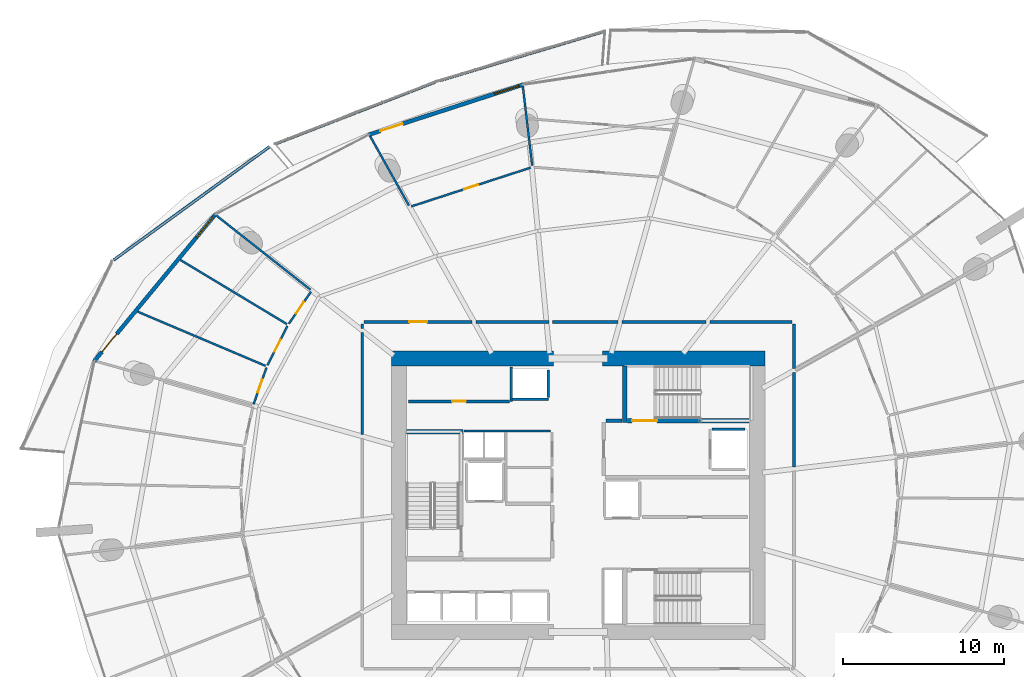
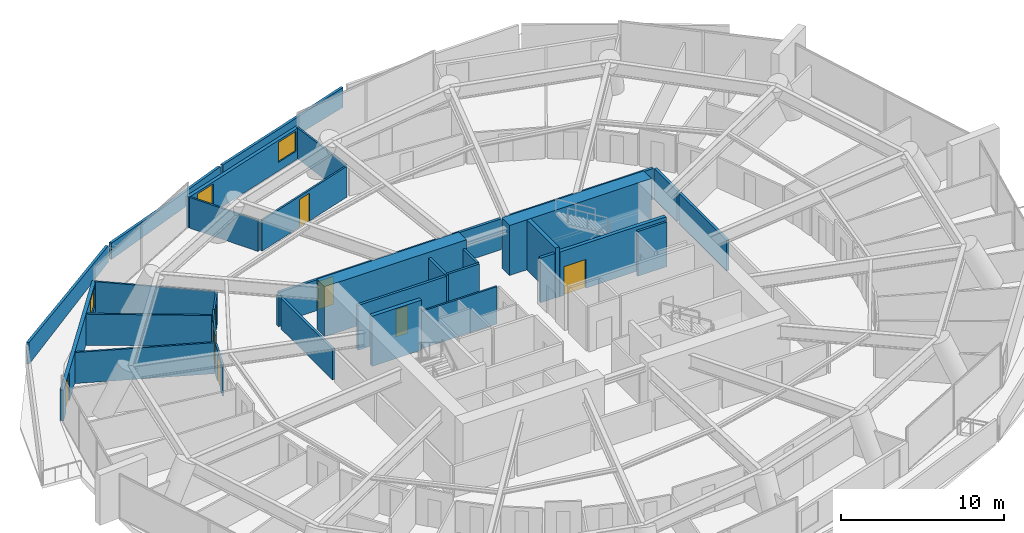
# One storey, part 22 of 31: 35 walls, 9 doors, 2 windows, 11 openings.
"""IFC4 building model written with IfcOpenShell, lengths in metres."""

from ifc_helpers import new_model, si_unit, direction, frame, frame_2d, origin, place, context, subcontext, project, spatial, polyline, rectangle, outline, extrude, material, layer, layer_set, type_object, element, fill, save


model = new_model("IFC4")

# Units and contexts
model_context = context("Model", 3, precision=1e-05, world=origin(), true_north=direction((0.0, 1.0)))
body_context = subcontext(model_context, "Body", "Model", "MODEL_VIEW")
ifc_project = project(units=[si_unit("LENGTHUNIT", "METRE"), si_unit("AREAUNIT", "SQUARE_METRE"), si_unit("VOLUMEUNIT", "CUBIC_METRE"), si_unit("PLANEANGLEUNIT", "RADIAN"), si_unit("MASSUNIT", "GRAM", prefix="KILO")], contexts=[model_context])

# Site, building, storey
site_placement = place(None, origin())
site = spatial("IfcSite", under=ifc_project, at=site_placement, CompositionType="ELEMENT")
building_placement = place(site_placement, origin())
building = spatial("IfcBuilding", under=site, at=building_placement, Name="Kazma Halo Residences", CompositionType="ELEMENT")
storey_placement = place(building_placement, frame((0.0, 0.0, 71.39990234375)))
storey = spatial("IfcBuildingStorey", under=building, at=storey_placement, Name="L17", CompositionType="ELEMENT", Elevation=71.39990234375)

# Walls
ifc_material_1 = material(Name="White Concrete C50/60 Balustrade", Category="concrete")
ifc_layer_1 = layer(ifc_material_1, 0.179931640625)
ifc_layer_set_1 = layer_set([ifc_layer_1], Name="White Concrete C50/60 Balustrade")
wall_type_1 = type_object("IfcWallType", Name="WL-BAL-WAVE-180", PredefinedType="PARAPET", material=ifc_layer_set_1)
wall_1_placement = place(storey_placement, frame((50.08740234375, 70.7705078125, 0.0), z_axis=(0.0, 0.0, 1.0), x_axis=(-0.957966698042, -0.286879426664, 0.0)))
element("IfcWall", 1, at=wall_1_placement, inside=storey, type_object=wall_type_1, Name="L17 white wave balustrade wall NNW.1", PredefinedType="PARAPET", context=body_context, shape_type="SweptSolid", body=[
    extrude(outline(polyline([(0.0, 0.0), (10.758544921875, 0.0), (10.7587890625, 1.148193359375), (5.37939453125, 1.2841796875), (0.0, 1.483154296875), (0.0, 0.0)])), frame((0.0, 0.08984375, 0.0), z_axis=(0.0, -1.0, 0.0), x_axis=(1.0, 0.0, 0.0)), (0.0, 0.0, 1.0), 0.179931640625),
])
wall_2_placement = place(storey_placement, frame((39.553955078125, 67.606201171875, 0.0), z_axis=(0.0, 0.0, 1.0), x_axis=(-0.932670029618, -0.360730669409, 0.0)))
element("IfcWall", 2, at=wall_2_placement, inside=storey, type_object=wall_type_1, Name="L17 white wave balustrade wall NNW.2", PredefinedType="PARAPET", context=body_context, shape_type="SweptSolid", body=[
    extrude(outline(polyline([(0.0, 0.0), (10.634521484375, 0.0), (10.634521484375, 1.22412109375), (5.3173828125, 1.127197265625), (0.0, 1.148193359375), (0.0, 0.0)])), frame((0.0, 0.08984375, 0.0), z_axis=(0.0, -1.0, 0.0), x_axis=(1.0, 0.0, 0.0)), (0.0, 0.0, 1.0), 0.179931640625),
])
wall_3_placement = place(storey_placement, frame((29.309326171875, 63.615234375, 0.0), z_axis=(0.0, 0.0, 1.0), x_axis=(-0.808711385096, -0.588205657586, 0.0)))
element("IfcWall", 3, at=wall_3_placement, inside=storey, type_object=wall_type_1, Name="L17 white wave balustrade wall NW.1", PredefinedType="PARAPET", context=body_context, shape_type="SweptSolid", body=[
    extrude(outline(polyline([(0.0, 0.0), (11.96875, 0.0), (11.968505859375, 1.632080078125), (5.984375, 1.418212890625), (0.0, 1.233154296875), (0.0, 0.0)])), frame((0.0, 0.08984375, 0.0), z_axis=(0.0, -1.0, 0.0), x_axis=(1.0, 0.0, 0.0)), (0.0, 0.0, 1.0), 0.179931640625),
])
ifc_material_2 = material(Name="Concrete C80/95", Category="concrete")
ifc_layer_2 = layer(ifc_material_2, 0.949951171875)
ifc_layer_set_2 = layer_set([ifc_layer_2], Name="Concrete C80/95")
wall_type_2 = type_object("IfcWallType", Name="WL-CORE-950", PredefinedType="SHEAR", material=ifc_layer_set_2)
wall_4_placement = place(storey_placement, frame((36.85009765625, 50.47509765625, 0.0), z_axis=(0.0, 0.0, 1.0), x_axis=(1.0, 0.0, 0.0)))
element("IfcWall", 4, at=wall_4_placement, inside=storey, type_object=wall_type_2, Name="L17 central core shear wall NW", PredefinedType="SHEAR", context=body_context, shape_type="SweptSolid", body=[
    extrude(rectangle(XDim=10.0498046875, YDim=0.949951171875, at=frame_2d((5.02490234375, 0.0))), origin(), (0.0, 0.0, 1.0), 3.75),
])
wall_5_placement = place(storey_placement, frame((49.949951171875, 50.47509765625, 0.0), z_axis=(0.0, 0.0, 1.0), x_axis=(1.0, 0.0, 0.0)))
element("IfcWall", 5, at=wall_5_placement, inside=storey, type_object=wall_type_2, Name="L17 central core shear wall NE", PredefinedType="SHEAR", context=body_context, shape_type="SweptSolid", body=[
    extrude(rectangle(XDim=10.050048828125, YDim=0.949951171875, at=frame_2d((5.02490234375, 0.0))), origin(), (0.0, 0.0, 1.0), 3.75),
])
ifc_material_3 = material(Name="Concrete C60/75", Category="concrete")
ifc_layer_3 = layer(ifc_material_3, 0.280029296875)
ifc_layer_set_3 = layer_set([ifc_layer_3], Name="Concrete C60/75")
wall_type_3 = type_object("IfcWallType", Name="WL-CORE-ST-280", PredefinedType="SHEAR", material=ifc_layer_set_3)
for number, where, z_axis, x_axis, name in (
    (6, (37.800048828125, 45.93994140625, 0.0), (0.0, 0.0, 1.0), (1.0, 0.0, 0.0), "L17 stairwell bearing wall ST01-N"),
    (7, (51.31005859375, 46.5, 0.0), (0.0, 0.0, 1.0), (0.0, 1.0, 0.0), "L17 stairwell bearing wall ST02-W"),
):
    element("IfcWall", number, at=place(storey_placement, frame(where, z_axis=z_axis, x_axis=x_axis)), inside=storey, type_object=wall_type_3, Name=name, PredefinedType="SHEAR", context=body_context, shape_type="SweptSolid", body=[
        extrude(rectangle(XDim=3.5, YDim=0.280029296875, at=frame_2d((1.75, 0.0))), origin(), (0.0, 0.0, 1.0), 3.75),
    ])

# Wall, opening, door
ifc_material_4 = material(Name="Acoustic Twin-Stud Gypsum")
ifc_layer_4 = layer(ifc_material_4, 0.179931640625)
ifc_layer_set_4 = layer_set([ifc_layer_4], Name="Acoustic Twin-Stud Gypsum")
wall_type_4 = type_object("IfcWallType", Name="WL-DEM-180", PredefinedType="PARTITIONING", material=ifc_layer_set_4)
wall_6_placement = place(storey_placement, frame((41.859619140625, 52.75, 0.0), z_axis=(0.0, 0.0, 1.0), x_axis=(-1.0, 0.0, 0.0)))
wall_6 = element("IfcWall", 8, at=wall_6_placement, inside=storey, type_object=wall_type_4, Name="L17 Apartment 1 entrance corridor wall", PredefinedType="PARTITIONING", context=body_context, shape_type="SweptSolid", body=[
    extrude(rectangle(XDim=6.689697265625, YDim=0.179931640625, at=frame_2d((3.3447265625, 0.0))), origin(), (0.0, 0.0, 1.0), 2.30712890625),
])
opening_1_placement = place(wall_6_placement, frame((2.794921875, 0.0, 0.0)))
opening_1 = element("IfcOpeningElement", 9, at=opening_1_placement, cuts=wall_6, Name="Opening DA-1100", PredefinedType="OPENING", context=body_context, shape_type="SweptSolid", body=[
    extrude(rectangle(XDim=1.10009765625, YDim=2.10009765625, at=frame_2d((0.550048828125, 1.050048828125))), frame((0.0, 0.099853515625, 0.0), z_axis=(0.0, -1.0, 0.0), x_axis=(1.0, 0.0, 0.0)), (0.0, 0.0, 1.0), 0.199951171875),
])
ifc_material_5 = material(Name="Acoustic Walnut Fire Leaf")
door_type_1 = type_object("IfcDoorType", Name="DR-FD60-1100", OperationType="NOTDEFINED", PredefinedType="DOOR", material=ifc_material_5)
door_1_placement = place(opening_1_placement, origin())
door_1 = element("IfcDoor", 10, at=door_1_placement, inside=storey, type_object=door_type_1, Name="L17 Apartment 1 entrance fire door", OperationType="SINGLE_SWING_LEFT", OverallHeight=2.10009765625, OverallWidth=1.10009765625, PredefinedType="DOOR", context=body_context, shape_type="SweptSolid", body=[
    extrude(rectangle(XDim=1.10009765625, YDim=2.10009765625, at=frame_2d((0.550048828125, 1.050048828125))), frame((0.0, 0.02490234375, 0.0), z_axis=(0.0, -1.0, 0.0), x_axis=(1.0, 0.0, 0.0)), (0.0, 0.0, 1.0), 0.050048828125),
])
fill(opening_1, door_1)

# Walls
wall_7_placement = place(storey_placement, frame((35.050048828125, 52.6298828125, 0.0), z_axis=(0.0, 0.0, 1.0), x_axis=(0.0, -1.0, 0.0)))
element("IfcWall", 11, at=wall_7_placement, inside=storey, type_object=wall_type_4, Name="L17 Apartment 1 entrance corridor wall", PredefinedType="PARTITIONING", context=body_context, shape_type="SweptSolid", body=[
    extrude(rectangle(XDim=0.30078125, YDim=0.179931640625, at=frame_2d((0.150390625, 0.0))), origin(), (0.0, 0.0, 1.0), 2.30712890625),
])
wall_8_placement = place(storey_placement, frame((61.800048828125, 49.848388671875, 0.0), z_axis=(0.0, 0.0, 1.0), x_axis=(0.0, 1.0, 0.0)))
element("IfcWall", 12, at=wall_8_placement, inside=storey, type_object=wall_type_4, Name="L17 Apartment 1 inner wall 0", PredefinedType="PARTITIONING", context=body_context, shape_type="SweptSolid", body=[
    extrude(rectangle(XDim=2.781494140625, YDim=0.179931640625, at=frame_2d((1.390625, 0.0))), origin(), (0.0, 0.0, 1.0), 2.30712890625),
])
wall_9_placement = place(storey_placement, frame((61.679931640625, 52.75, 0.0), z_axis=(0.0, 0.0, 1.0), x_axis=(-1.0, 0.0, 0.0)))
element("IfcWall", 13, at=wall_9_placement, inside=storey, type_object=wall_type_4, Name="L17 Apartment 1 inner wall 0", PredefinedType="PARTITIONING", context=body_context, shape_type="SweptSolid", body=[
    extrude(rectangle(XDim=5.08544921875, YDim=0.179931640625, at=frame_2d((2.542724609375, 0.0))), origin(), (0.0, 0.0, 1.0), 2.30712890625),
])
wall_10_placement = place(storey_placement, frame((56.3544921875, 52.75, 0.0), z_axis=(0.0, 0.0, 1.0), x_axis=(-1.0, 0.0, 0.0)))
element("IfcWall", 14, at=wall_10_placement, inside=storey, type_object=wall_type_4, Name="L17 Apartment 1 inner wall 1", PredefinedType="PARTITIONING", context=body_context, shape_type="SweptSolid", body=[
    extrude(rectangle(XDim=5.20263671875, YDim=0.179931640625, at=frame_2d((2.601318359375, 0.0))), origin(), (0.0, 0.0, 1.0), 2.30712890625),
])
wall_11_placement = place(storey_placement, frame((50.911865234375, 52.75, 0.0), z_axis=(0.0, 0.0, 1.0), x_axis=(-1.0, 0.0, 0.0)))
element("IfcWall", 15, at=wall_11_placement, inside=storey, type_object=wall_type_4, Name="L17 Apartment 1 inner wall 2", PredefinedType="PARTITIONING", context=body_context, shape_type="SweptSolid", body=[
    extrude(rectangle(XDim=4.064208984375, YDim=0.179931640625, at=frame_2d((2.0322265625, 0.0))), origin(), (0.0, 0.0, 1.0), 2.30712890625),
])
wall_12_placement = place(storey_placement, frame((46.607666015625, 52.75, 0.0), z_axis=(0.0, 0.0, 1.0), x_axis=(-1.0, 0.0, 0.0)))
element("IfcWall", 16, at=wall_12_placement, inside=storey, type_object=wall_type_4, Name="L17 Apartment 1 inner wall 3", PredefinedType="PARTITIONING", context=body_context, shape_type="SweptSolid", body=[
    extrude(rectangle(XDim=4.508056640625, YDim=0.179931640625, at=frame_2d((2.25390625, 0.0))), origin(), (0.0, 0.0, 1.0), 2.30712890625),
])
wall_13_placement = place(storey_placement, frame((35.050048828125, 52.089111328125, 0.0), z_axis=(0.0, 0.0, 1.0), x_axis=(0.0, -1.0, 0.0)))
element("IfcWall", 17, at=wall_13_placement, inside=storey, type_object=wall_type_4, Name="L17 Apartment 1 inner wall 5", PredefinedType="PARTITIONING", context=body_context, shape_type="SweptSolid", body=[
    extrude(rectangle(XDim=6.31689453125, YDim=0.179931640625, at=frame_2d((3.158447265625, 0.0))), origin(), (0.0, 0.0, 1.0), 2.30712890625),
])
wall_14_placement = place(storey_placement, frame((61.800048828125, 43.75341796875, 0.0), z_axis=(0.0, 0.0, 1.0), x_axis=(0.0, 1.0, 0.0)))
element("IfcWall", 18, at=wall_14_placement, inside=storey, type_object=wall_type_4, Name="L17 Apartment 2 inner wall 15", PredefinedType="PARTITIONING", context=body_context, shape_type="SweptSolid", body=[
    extrude(rectangle(XDim=5.85498046875, YDim=0.179931640625, at=frame_2d((2.927490234375, 0.0))), origin(), (0.0, 0.0, 1.0), 2.30712890625),
])

# Wall, openings, door, window
ifc_material_6 = material(Name="Insulated Pale-Metal Composite Wall")
ifc_layer_5 = layer(ifc_material_6, 0.239990234375)
ifc_layer_set_5 = layer_set([ifc_layer_5], Name="Insulated Pale-Metal Composite Wall")
wall_type_5 = type_object("IfcWallType", Name="WL-EXT-HOST-240", PredefinedType="SOLIDWALL", material=ifc_layer_set_5)
wall_15_placement = place(storey_placement, frame((45.0361328125, 67.45849609375, 0.0), z_axis=(0.0, 0.0, 1.0), x_axis=(-0.951054679225, -0.309022648238, 0.0)))
wall_15 = element("IfcWall", 19, at=wall_15_placement, inside=storey, type_object=wall_type_5, Name="L17 exterior terrace-access wall B04", PredefinedType="SOLIDWALL", context=body_context, shape_type="SweptSolid", body=[
    extrude(rectangle(XDim=10.0966796875, YDim=0.239990234375, at=frame_2d((5.04833984375, 0.0))), origin(), (0.0, 0.0, 1.0), 2.300048828125),
])
opening_2_placement = place(wall_15_placement, frame((7.876708984375, 0.0, 0.0)))
opening_2 = element("IfcOpeningElement", 20, at=opening_2_placement, cuts=wall_15, Name="Opening DTR-1600", PredefinedType="OPENING", context=body_context, shape_type="SweptSolid", body=[
    extrude(rectangle(XDim=1.449951171875, YDim=2.14990234375, at=frame_2d((0.72509765625, 1.074951171875))), frame((0.0, 0.1298828125, 0.0), z_axis=(0.0, -1.0, 0.0), x_axis=(1.0, 0.0, 0.0)), (0.0, 0.0, 1.0), 0.260009765625),
])
opening_3_placement = place(wall_15_placement, frame((0.280029296875, 0.0, 0.64990234375)))
opening_3 = element("IfcOpeningElement", 21, at=opening_3_placement, cuts=wall_15, Name="Opening W-1800", PredefinedType="OPENING", context=body_context, shape_type="SweptSolid", body=[
    extrude(rectangle(XDim=1.60009765625, YDim=1.5, at=frame_2d((0.800048828125, 0.75))), frame((0.0, 0.1298828125, 0.0), z_axis=(0.0, -1.0, 0.0), x_axis=(1.0, 0.0, 0.0)), (0.0, 0.0, 1.0), 0.260009765625),
])
ifc_material_7 = material(Name="Aluminium AW-6063 T6 Double-Glazed Terrace Door", Category="aluminium")
door_type_2 = type_object("IfcDoorType", Name="DR-EXT-TERR-1600", OperationType="NOTDEFINED", PredefinedType="DOOR", material=ifc_material_7)
door_2_placement = place(opening_2_placement, origin())
door_2 = element("IfcDoor", 22, at=door_2_placement, inside=storey, type_object=door_type_2, Name="L17 B04 balcony terrace door", OperationType="DOUBLE_DOOR_SLIDING", OverallHeight=2.14990234375, OverallWidth=1.449951171875, PredefinedType="DOOR", context=body_context, shape_type="SweptSolid", body=[
    extrude(rectangle(XDim=1.449951171875, YDim=2.14990234375, at=frame_2d((0.72509765625, 1.074951171875))), frame((0.0, 0.02490234375, 0.0), z_axis=(0.0, -1.0, 0.0), x_axis=(1.0, 0.0, 0.0)), (0.0, 0.0, 1.0), 0.050048828125),
])
fill(opening_2, door_2)
ifc_material_8 = material(Name="Clear Triple-Silver Low-E Glass in Aluminium AW-6063 T6 Frame", Category="aluminium")
window_type = type_object("IfcWindowType", Name="WIN-RES-1800", PartitioningType="DOUBLE_PANEL_VERTICAL", PredefinedType="WINDOW", material=ifc_material_8)
window_1_placement = place(opening_3_placement, origin())
window_1 = element("IfcWindow", 23, at=window_1_placement, inside=storey, type_object=window_type, Name="L17 B04 apartment window", OverallHeight=1.5, OverallWidth=1.60009765625, PartitioningType="SINGLE_PANEL", PredefinedType="WINDOW", context=body_context, shape_type="SweptSolid", body=[
    extrude(rectangle(XDim=1.60009765625, YDim=1.5, at=frame_2d((0.800048828125, 0.75))), frame((0.0, 0.030029296875, 0.0), z_axis=(0.0, -1.0, 0.0), x_axis=(1.0, 0.0, 0.0)), (0.0, 0.0, 1.0), 0.06005859375),
])
fill(opening_3, window_1)

wall_16_placement = place(storey_placement, frame((25.966796875, 59.433349609375, 0.0), z_axis=(0.0, 0.0, 1.0), x_axis=(-0.636674332663, -0.771132799281, 0.0)))
wall_16 = element("IfcWall", 24, at=wall_16_placement, inside=storey, type_object=wall_type_5, Name="L17 exterior terrace-access wall B06", PredefinedType="SOLIDWALL", context=body_context, shape_type="SweptSolid", body=[
    extrude(rectangle(XDim=11.851318359375, YDim=0.239990234375, at=frame_2d((5.92578125, 0.0))), origin(), (0.0, 0.0, 1.0), 2.300048828125),
])
opening_4_placement = place(wall_16_placement, frame((9.631103515625, 0.0, 0.0)))
opening_4 = element("IfcOpeningElement", 25, at=opening_4_placement, cuts=wall_16, Name="Opening DTR-1600", PredefinedType="OPENING", context=body_context, shape_type="SweptSolid", body=[
    extrude(rectangle(XDim=1.449951171875, YDim=2.14990234375, at=frame_2d((0.72509765625, 1.074951171875))), frame((0.0, 0.1298828125, 0.0), z_axis=(0.0, -1.0, 0.0), x_axis=(1.0, 0.0, 0.0)), (0.0, 0.0, 1.0), 0.260009765625),
])
opening_5_placement = place(wall_16_placement, frame((0.280029296875, 0.0, 0.64990234375)))
opening_5 = element("IfcOpeningElement", 26, at=opening_5_placement, cuts=wall_16, Name="Opening W-1800", PredefinedType="OPENING", context=body_context, shape_type="SweptSolid", body=[
    extrude(rectangle(XDim=1.60009765625, YDim=1.5, at=frame_2d((0.800048828125, 0.75))), frame((0.0, 0.1298828125, 0.0), z_axis=(0.0, -1.0, 0.0), x_axis=(1.0, 0.0, 0.0)), (0.0, 0.0, 1.0), 0.260009765625),
])
door_3_placement = place(opening_4_placement, origin())
door_3 = element("IfcDoor", 27, at=door_3_placement, inside=storey, type_object=door_type_2, Name="L17 B06 balcony terrace door", OperationType="DOUBLE_DOOR_SLIDING", OverallHeight=2.14990234375, OverallWidth=1.449951171875, PredefinedType="DOOR", context=body_context, shape_type="SweptSolid", body=[
    extrude(rectangle(XDim=1.449951171875, YDim=2.14990234375, at=frame_2d((0.72509765625, 1.074951171875))), frame((0.0, 0.02490234375, 0.0), z_axis=(0.0, -1.0, 0.0), x_axis=(1.0, 0.0, 0.0)), (0.0, 0.0, 1.0), 0.050048828125),
])
fill(opening_4, door_3)
window_2_placement = place(opening_5_placement, origin())
window_2 = element("IfcWindow", 28, at=window_2_placement, inside=storey, type_object=window_type, Name="L17 B06 apartment window", OverallHeight=1.5, OverallWidth=1.60009765625, PartitioningType="SINGLE_PANEL", PredefinedType="WINDOW", context=body_context, shape_type="SweptSolid", body=[
    extrude(rectangle(XDim=1.60009765625, YDim=1.5, at=frame_2d((0.800048828125, 0.75))), frame((0.0, 0.030029296875, 0.0), z_axis=(0.0, -1.0, 0.0), x_axis=(1.0, 0.0, 0.0)), (0.0, 0.0, 1.0), 0.06005859375),
])
fill(opening_5, window_2)

# Walls
ifc_material_9 = material(Name="Fire-Rated Blockwork Masonry", Category="masonry")
ifc_layer_6 = layer(ifc_material_9, 0.199951171875)
ifc_layer_set_6 = layer_set([ifc_layer_6], Name="Fire-Rated Blockwork Masonry")
wall_type_6 = type_object("IfcWallType", Name="WL-FLB-200", PredefinedType="PARTITIONING", material=ifc_layer_set_6)
wall_17_placement = place(storey_placement, frame((46.580078125, 47.945068359375, 0.0), z_axis=(0.0, 0.0, 1.0), x_axis=(-1.0, 0.0, 0.0)))
element("IfcWall", 29, at=wall_17_placement, inside=storey, type_object=wall_type_6, Name="L17 lift shaft PX-01 front wall", PredefinedType="PARTITIONING", context=body_context, shape_type="SweptSolid", body=[
    extrude(rectangle(XDim=2.260009765625, YDim=0.159912109375, at=frame_2d((1.1298828125, 0.0))), origin(), (0.0, 0.0, 1.0), 3.35009765625),
])
wall_18_placement = place(storey_placement, frame((46.580078125, 48.044921875, 0.0), z_axis=(0.0, 0.0, 1.0), x_axis=(0.0, 1.0, 0.0)))
element("IfcWall", 30, at=wall_18_placement, inside=storey, type_object=wall_type_6, Name="L17 lift shaft PX-01 side wall E", PredefinedType="PARTITIONING", context=body_context, shape_type="SweptSolid", body=[
    extrude(rectangle(XDim=1.7099609375, YDim=0.159912109375, at=frame_2d((0.85498046875, 0.0))), origin(), (0.0, 0.0, 1.0), 3.35009765625),
])
wall_19_placement = place(storey_placement, frame((56.719970703125, 46.080078125, 0.0), z_axis=(0.0, 0.0, 1.0), x_axis=(1.0, 0.0, 0.0)))
element("IfcWall", 31, at=wall_19_placement, inside=storey, type_object=wall_type_6, Name="L17 lift shaft FL-02 side wall N", PredefinedType="PARTITIONING", context=body_context, shape_type="SweptSolid", body=[
    extrude(rectangle(XDim=2.06005859375, YDim=0.159912109375, at=frame_2d((1.030029296875, 0.0))), origin(), (0.0, 0.0, 1.0), 3.35009765625),
])

# Wall, opening, door
wall_20_placement = place(storey_placement, frame((37.919921875, 47.820068359375, 0.0), z_axis=(0.0, 0.0, 1.0), x_axis=(1.0, 0.0, 0.0)))
wall_20 = element("IfcWall", 32, at=wall_20_placement, inside=storey, type_object=wall_type_6, Name="L17 core north reserve wall", PredefinedType="PARTITIONING", context=body_context, shape_type="SweptSolid", body=[
    extrude(rectangle(XDim=6.260009765625, YDim=0.179931640625, at=frame_2d((3.1298828125, 0.0))), origin(), (0.0, 0.0, 1.0), 3.35009765625),
])
opening_6_placement = place(wall_20_placement, frame((2.705078125, 0.0, 0.0)))
opening_6 = element("IfcOpeningElement", 33, at=opening_6_placement, cuts=wall_20, Name="Opening DS-850", PredefinedType="OPENING", context=body_context, shape_type="SweptSolid", body=[
    extrude(rectangle(XDim=0.85009765625, YDim=2.06005859375, at=frame_2d((0.425048828125, 1.030029296875))), frame((0.0, 0.099853515625, 0.0), z_axis=(0.0, -1.0, 0.0), x_axis=(1.0, 0.0, 0.0)), (0.0, 0.0, 1.0), 0.199951171875),
])
ifc_material_10 = material(Name="Painted Steel Access Leaf", Category="steel")
door_type_3 = type_object("IfcDoorType", Name="DR-SVC-850", OperationType="NOTDEFINED", PredefinedType="DOOR", material=ifc_material_10)
door_4_placement = place(opening_6_placement, origin())
door_4 = element("IfcDoor", 34, at=door_4_placement, inside=storey, type_object=door_type_3, Name="L17 core north reserve door", OperationType="SINGLE_SWING_LEFT", OverallHeight=2.06005859375, OverallWidth=0.85009765625, PredefinedType="DOOR", context=body_context, shape_type="SweptSolid", body=[
    extrude(rectangle(XDim=0.85009765625, YDim=2.06005859375, at=frame_2d((0.425048828125, 1.030029296875))), frame((0.0, 0.02490234375, 0.0), z_axis=(0.0, -1.0, 0.0), x_axis=(1.0, 0.0, 0.0)), (0.0, 0.0, 1.0), 0.050048828125),
])
fill(opening_6, door_4)

# Walls
wall_21_placement = place(storey_placement, frame((44.280029296875, 47.820068359375, 0.0), z_axis=(0.0, 0.0, 1.0), x_axis=(0.0, 1.0, 0.0)))
element("IfcWall", 35, at=wall_21_placement, inside=storey, type_object=wall_type_6, Name="L17 PX-01 hoistway west wall", PredefinedType="PARTITIONING", context=body_context, shape_type="SweptSolid", body=[
    extrude(rectangle(XDim=2.1298828125, YDim=0.179931640625, at=frame_2d((1.06494140625, 0.0))), origin(), (0.0, 0.0, 1.0), 3.35009765625),
])
wall_22_placement = place(storey_placement, frame((50.139892578125, 46.6201171875, 0.0), z_axis=(0.0, 0.0, 1.0), x_axis=(1.0, 0.0, 0.0)))
element("IfcWall", 36, at=wall_22_placement, inside=storey, type_object=wall_type_6, Name="L17 east firefighting lobby north closure wall", PredefinedType="PARTITIONING", context=body_context, shape_type="SweptSolid", body=[
    extrude(rectangle(XDim=1.02001953125, YDim=0.199951171875, at=frame_2d((0.510009765625, 0.0))), origin(), (0.0, 0.0, 1.0), 3.35009765625),
])
ifc_material_11 = material(Name="Gypsum Plasterboard Partition")
ifc_layer_7 = layer(ifc_material_11, 0.125)
ifc_layer_set_7 = layer_set([ifc_layer_7], Name="Gypsum Plasterboard Partition")
wall_type_7 = type_object("IfcWallType", Name="WL-PART-125", PredefinedType="PARTITIONING", material=ifc_layer_set_7)
wall_23_placement = place(storey_placement, frame((41.360107421875, 45.97998046875, 0.0), z_axis=(0.0, 0.0, 1.0), x_axis=(1.0, 0.0, 0.0)))
element("IfcWall", 37, at=wall_23_placement, inside=storey, type_object=wall_type_7, Name="L17 core north riser wall", PredefinedType="PARTITIONING", context=body_context, shape_type="SweptSolid", body=[
    extrude(rectangle(XDim=5.35986328125, YDim=0.125, at=frame_2d((2.679931640625, 0.0))), origin(), (0.0, 0.0, 1.0), 2.7900390625),
])
wall_24_placement = place(storey_placement, frame((45.580810546875, 62.440185546875, 0.0), z_axis=(0.0, 0.0, 1.0), x_axis=(-0.117522242016, 0.993070250602, 0.0)))
element("IfcWall", 38, at=wall_24_placement, inside=storey, type_object=wall_type_7, Name="L17 Apartment 1 radial partition 3", PredefinedType="PARTITIONING", context=body_context, shape_type="SweptSolid", body=[
    extrude(rectangle(XDim=5.0126953125, YDim=0.125, at=frame_2d((2.50634765625, 0.0))), origin(), (0.0, 0.0, 1.0), 2.30712890625),
])
wall_25_placement = place(storey_placement, frame((37.942626953125, 59.95849609375, 0.0), z_axis=(0.0, 0.0, 1.0), x_axis=(-0.488606395453, 0.872504321091, 0.0)))
element("IfcWall", 39, at=wall_25_placement, inside=storey, type_object=wall_type_7, Name="L17 Apartment 1 living radial partition 3", PredefinedType="PARTITIONING", context=body_context, shape_type="SweptSolid", body=[
    extrude(rectangle(XDim=4.912841796875, YDim=0.125, at=frame_2d((2.45654296875, 0.0))), origin(), (0.0, 0.0, 1.0), 2.30712890625),
])

# Wall, opening, door
wall_26_placement = place(storey_placement, frame((45.48779296875, 62.306884765625, 0.0), z_axis=(0.0, 0.0, 1.0), x_axis=(-0.951058997127, -0.309009359055, 0.0)))
wall_26 = element("IfcWall", 40, at=wall_26_placement, inside=storey, type_object=wall_type_7, Name="L17 Apartment 1 Corner Formal Dining Room gallery wall", PredefinedType="PARTITIONING", context=body_context, shape_type="SweptSolid", body=[
    extrude(rectangle(XDim=7.77197265625, YDim=0.125, at=frame_2d((3.885986328125, 0.0))), origin(), (0.0, 0.0, 1.0), 2.30712890625),
])
opening_7_placement = place(wall_26_placement, frame((3.43603515625, 0.0, 0.0)))
opening_7 = element("IfcOpeningElement", 41, at=opening_7_placement, cuts=wall_26, Name="Opening DI-950", PredefinedType="OPENING", context=body_context, shape_type="SweptSolid", body=[
    extrude(rectangle(XDim=0.89990234375, YDim=2.080078125, at=frame_2d((0.449951171875, 1.0400390625))), frame((0.0, 0.072509765625, 0.0), z_axis=(0.0, -1.0, 0.0), x_axis=(1.0, 0.0, 0.0)), (0.0, 0.0, 1.0), 0.14501953125),
])
ifc_material_12 = material(Name="Timber Veneer Flush Leaf", Category="wood")
door_type_4 = type_object("IfcDoorType", Name="DR-INT-950", OperationType="NOTDEFINED", PredefinedType="DOOR", material=ifc_material_12)
door_5_placement = place(opening_7_placement, origin())
door_5 = element("IfcDoor", 42, at=door_5_placement, inside=storey, type_object=door_type_4, Name="L17 Apartment 1 Corner Formal Dining Room door", OperationType="SINGLE_SWING_LEFT", OverallHeight=2.080078125, OverallWidth=0.89990234375, PredefinedType="DOOR", context=body_context, shape_type="SweptSolid", body=[
    extrude(rectangle(XDim=0.89990234375, YDim=2.080078125, at=frame_2d((0.449951171875, 1.0400390625))), frame((0.0, 0.02490234375, 0.0), z_axis=(0.0, -1.0, 0.0), x_axis=(1.0, 0.0, 0.0)), (0.0, 0.0, 1.0), 0.050048828125),
])
fill(opening_7, door_5)

# Walls
wall_27_placement = place(storey_placement, frame((31.8359375, 54.742919921875, 0.0), z_axis=(0.0, 0.0, 1.0), x_axis=(-0.785333171854, 0.619073347178, 0.0)))
element("IfcWall", 43, at=wall_27_placement, inside=storey, type_object=wall_type_7, Name="L17 Apartment 1 radial partition 5", PredefinedType="PARTITIONING", context=body_context, shape_type="SweptSolid", body=[
    extrude(rectangle(XDim=7.489013671875, YDim=0.125, at=frame_2d((3.74462890625, 0.0))), origin(), (0.0, 0.0, 1.0), 2.30712890625),
])
wall_28_placement = place(storey_placement, frame((30.374755859375, 52.611083984375, 0.0), z_axis=(0.0, 0.0, 1.0), x_axis=(-0.856697740307, 0.515818748936, 0.0)))
element("IfcWall", 44, at=wall_28_placement, inside=storey, type_object=wall_type_7, Name="L17 Apartment 1 bay wall 1 5", PredefinedType="PARTITIONING", context=body_context, shape_type="SweptSolid", body=[
    extrude(rectangle(XDim=7.70361328125, YDim=0.125, at=frame_2d((3.851806640625, 0.0))), origin(), (0.0, 0.0, 1.0), 2.3251953125),
])
wall_29_placement = place(storey_placement, frame((29.055419921875, 50.02197265625, 0.0), z_axis=(0.0, 0.0, 1.0), x_axis=(-0.920841617163, 0.389936810395, 0.0)))
element("IfcWall", 45, at=wall_29_placement, inside=storey, type_object=wall_type_7, Name="L17 Apartment 1 bay wall 2 5", PredefinedType="PARTITIONING", context=body_context, shape_type="SweptSolid", body=[
    extrude(rectangle(XDim=8.61279296875, YDim=0.125, at=frame_2d((4.306396484375, 0.0))), origin(), (0.0, 0.0, 1.0), 2.3251953125),
])

# Wall, opening, door
wall_30_placement = place(storey_placement, frame((31.868896484375, 54.614990234375, 0.0), z_axis=(0.0, 0.0, 1.0), x_axis=(-0.568588801709, -0.822621890404, 0.0)))
wall_30 = element("IfcWall", 46, at=wall_30_placement, inside=storey, type_object=wall_type_7, Name="L17 Apartment 1 Gulf Bedroom hall wall", PredefinedType="PARTITIONING", context=body_context, shape_type="SweptSolid", body=[
    extrude(rectangle(XDim=2.412353515625, YDim=0.125, at=frame_2d((1.2060546875, 0.0))), origin(), (0.0, 0.0, 1.0), 2.30712890625),
])
opening_8_placement = place(wall_30_placement, frame((0.78125, 0.0, 0.0)))
opening_8 = element("IfcOpeningElement", 47, at=opening_8_placement, cuts=wall_30, Name="Opening DB-900", PredefinedType="OPENING", context=body_context, shape_type="SweptSolid", body=[
    extrude(rectangle(XDim=0.85009765625, YDim=2.06005859375, at=frame_2d((0.425048828125, 1.030029296875))), frame((0.0, 0.072509765625, 0.0), z_axis=(0.0, -1.0, 0.0), x_axis=(1.0, 0.0, 0.0)), (0.0, 0.0, 1.0), 0.14501953125),
])
ifc_material_13 = material(Name="Moisture-Sealed Timber Leaf", Category="wood")
door_type_5 = type_object("IfcDoorType", Name="DR-BTH-900", OperationType="NOTDEFINED", PredefinedType="DOOR", material=ifc_material_13)
door_6_placement = place(opening_8_placement, origin())
door_6 = element("IfcDoor", 48, at=door_6_placement, inside=storey, type_object=door_type_5, Name="L17 Apartment 1 Gulf Bedroom door", OperationType="SINGLE_SWING_RIGHT", OverallHeight=2.06005859375, OverallWidth=0.85009765625, PredefinedType="DOOR", context=body_context, shape_type="SweptSolid", body=[
    extrude(rectangle(XDim=0.85009765625, YDim=2.06005859375, at=frame_2d((0.425048828125, 1.030029296875))), frame((0.0, 0.02490234375, 0.0), z_axis=(0.0, -1.0, 0.0), x_axis=(1.0, 0.0, 0.0)), (0.0, 0.0, 1.0), 0.050048828125),
])
fill(opening_8, door_6)

wall_31_placement = place(storey_placement, frame((30.41552734375, 52.493408203125, 0.0), z_axis=(0.0, 0.0, 1.0), x_axis=(-0.454024795493, -0.890989048798, 0.0)))
wall_31 = element("IfcWall", 49, at=wall_31_placement, inside=storey, type_object=wall_type_7, Name="L17 Apartment 1 Primary Study hall wall", PredefinedType="PARTITIONING", context=body_context, shape_type="SweptSolid", body=[
    extrude(rectangle(XDim=2.733154296875, YDim=0.125, at=frame_2d((1.36669921875, 0.0))), origin(), (0.0, 0.0, 1.0), 2.7900390625),
])
opening_9_placement = place(wall_31_placement, frame((0.941650390625, 0.0, 0.0)))
opening_9 = element("IfcOpeningElement", 50, at=opening_9_placement, cuts=wall_31, Name="Opening DB-900", PredefinedType="OPENING", context=body_context, shape_type="SweptSolid", body=[
    extrude(rectangle(XDim=0.85009765625, YDim=2.06005859375, at=frame_2d((0.425048828125, 1.030029296875))), frame((0.0, 0.072509765625, 0.0), z_axis=(0.0, -1.0, 0.0), x_axis=(1.0, 0.0, 0.0)), (0.0, 0.0, 1.0), 0.14501953125),
])
door_7_placement = place(opening_9_placement, origin())
door_7 = element("IfcDoor", 51, at=door_7_placement, inside=storey, type_object=door_type_5, Name="L17 Apartment 1 Primary Study door", OperationType="SINGLE_SWING_LEFT", OverallHeight=2.06005859375, OverallWidth=0.85009765625, PredefinedType="DOOR", context=body_context, shape_type="SweptSolid", body=[
    extrude(rectangle(XDim=0.85009765625, YDim=2.06005859375, at=frame_2d((0.425048828125, 1.030029296875))), frame((0.0, 0.02490234375, 0.0), z_axis=(0.0, -1.0, 0.0), x_axis=(1.0, 0.0, 0.0)), (0.0, 0.0, 1.0), 0.050048828125),
])
fill(opening_9, door_7)

wall_32_placement = place(storey_placement, frame((29.11181640625, 49.911376953125, 0.0), z_axis=(0.0, 0.0, 1.0), x_axis=(-0.331369117911, -0.943501196446, 0.0)))
wall_32 = element("IfcWall", 52, at=wall_32_placement, inside=storey, type_object=wall_type_7, Name="L17 Apartment 1 Secondary Bedroom hall wall", PredefinedType="PARTITIONING", context=body_context, shape_type="SweptSolid", body=[
    extrude(rectangle(XDim=2.412109375, YDim=0.125, at=frame_2d((1.2060546875, 0.0))), origin(), (0.0, 0.0, 1.0), 2.30712890625),
])
opening_10_placement = place(wall_32_placement, frame((0.781005859375, 0.0, 0.0)))
opening_10 = element("IfcOpeningElement", 53, at=opening_10_placement, cuts=wall_32, Name="Opening DB-900", PredefinedType="OPENING", context=body_context, shape_type="SweptSolid", body=[
    extrude(rectangle(XDim=0.85009765625, YDim=2.06005859375, at=frame_2d((0.425048828125, 1.030029296875))), frame((0.0, 0.072509765625, 0.0), z_axis=(0.0, -1.0, 0.0), x_axis=(1.0, 0.0, 0.0)), (0.0, 0.0, 1.0), 0.14501953125),
])
door_8_placement = place(opening_10_placement, origin())
door_8 = element("IfcDoor", 54, at=door_8_placement, inside=storey, type_object=door_type_5, Name="L17 Apartment 1 Secondary Bedroom door", OperationType="SINGLE_SWING_RIGHT", OverallHeight=2.06005859375, OverallWidth=0.85009765625, PredefinedType="DOOR", context=body_context, shape_type="SweptSolid", body=[
    extrude(rectangle(XDim=0.85009765625, YDim=2.06005859375, at=frame_2d((0.425048828125, 1.030029296875))), frame((0.0, 0.02490234375, 0.0), z_axis=(0.0, -1.0, 0.0), x_axis=(1.0, 0.0, 0.0)), (0.0, 0.0, 1.0), 0.050048828125),
])
fill(opening_10, door_8)

ifc_material_14 = material(Name="Concrete C50/60", Category="concrete")
ifc_layer_8 = layer(ifc_material_14, 0.25)
ifc_layer_set_8 = layer_set([ifc_layer_8], Name="Concrete C50/60")
wall_type_8 = type_object("IfcWallType", Name="WL-SHF-250", PredefinedType="SOLIDWALL", material=ifc_layer_set_8)
wall_33_placement = place(storey_placement, frame((51.47998046875, 46.6201171875, 0.0), z_axis=(0.0, 0.0, 1.0), x_axis=(1.0, 0.0, 0.0)))
wall_33 = element("IfcWall", 55, at=wall_33_placement, inside=storey, type_object=wall_type_8, Name="L17 exit stair ST-02 enclosure wall", PredefinedType="SOLIDWALL", context=body_context, shape_type="SweptSolid", body=[
    extrude(rectangle(XDim=7.5400390625, YDim=0.25, at=frame_2d((3.77001953125, 0.0))), origin(), (0.0, 0.0, 1.0), 3.35009765625),
])
opening_11_placement = place(wall_33_placement, frame((0.300048828125, 0.0, 0.0)))
opening_11 = element("IfcOpeningElement", 56, at=opening_11_placement, cuts=wall_33, Name="Opening D-ST2", PredefinedType="OPENING", context=body_context, shape_type="SweptSolid", body=[
    extrude(rectangle(XDim=1.550048828125, YDim=2.14990234375, at=frame_2d((0.77490234375, 1.074951171875))), frame((0.0, 0.135009765625, 0.0), z_axis=(0.0, -1.0, 0.0), x_axis=(1.0, 0.0, 0.0)), (0.0, 0.0, 1.0), 0.27001953125),
])
ifc_material_15 = material(Name="Fire-Rated Double Steel Leaf", Category="steel")
door_type_6 = type_object("IfcDoorType", Name="DR-FD90-1550", OperationType="NOTDEFINED", PredefinedType="DOOR", material=ifc_material_15)
door_9_placement = place(opening_11_placement, origin())
door_9 = element("IfcDoor", 57, at=door_9_placement, inside=storey, type_object=door_type_6, Name="L17 exit stair ST-02 fire door", OperationType="DOUBLE_DOOR_SINGLE_SWING", OverallHeight=2.14990234375, OverallWidth=1.550048828125, PredefinedType="DOOR", context=body_context, shape_type="SweptSolid", body=[
    extrude(rectangle(XDim=1.550048828125, YDim=2.14990234375, at=frame_2d((0.77490234375, 1.074951171875))), frame((0.0, 0.02490234375, 0.0), z_axis=(0.0, -1.0, 0.0), x_axis=(1.0, 0.0, 0.0)), (0.0, 0.0, 1.0), 0.050048828125),
])
fill(opening_11, door_9)

save(model, "model.ifc")
